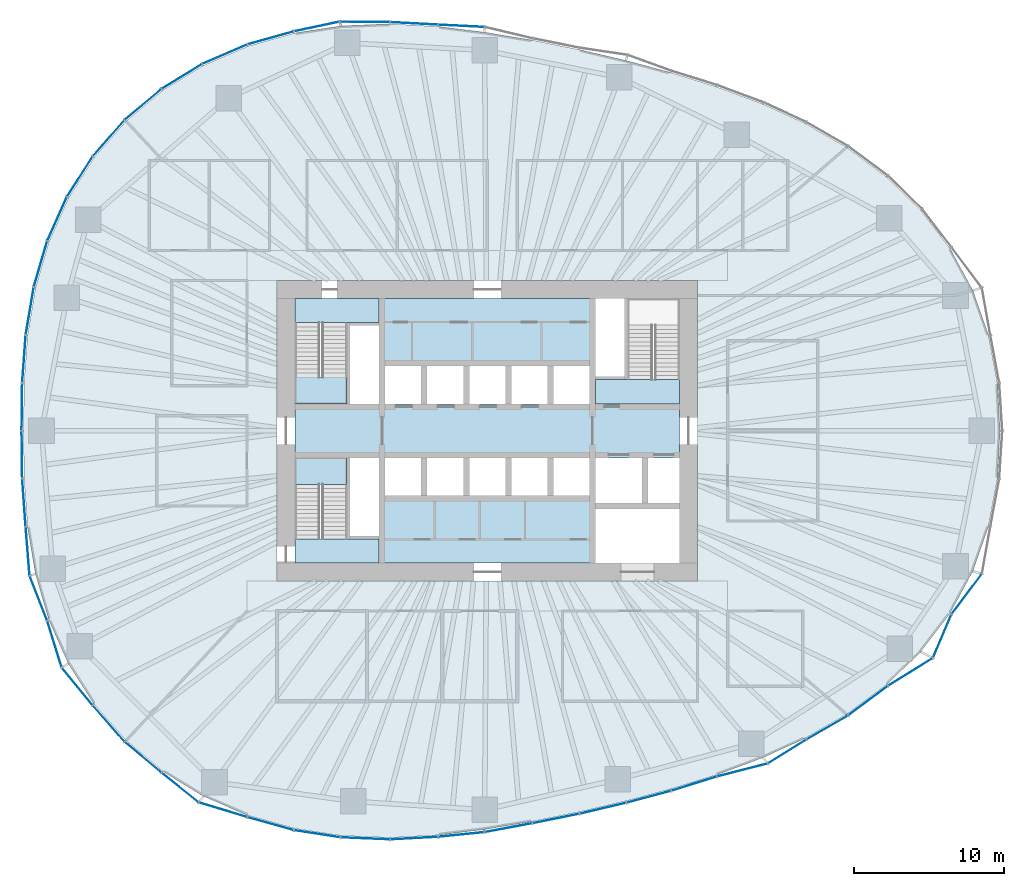
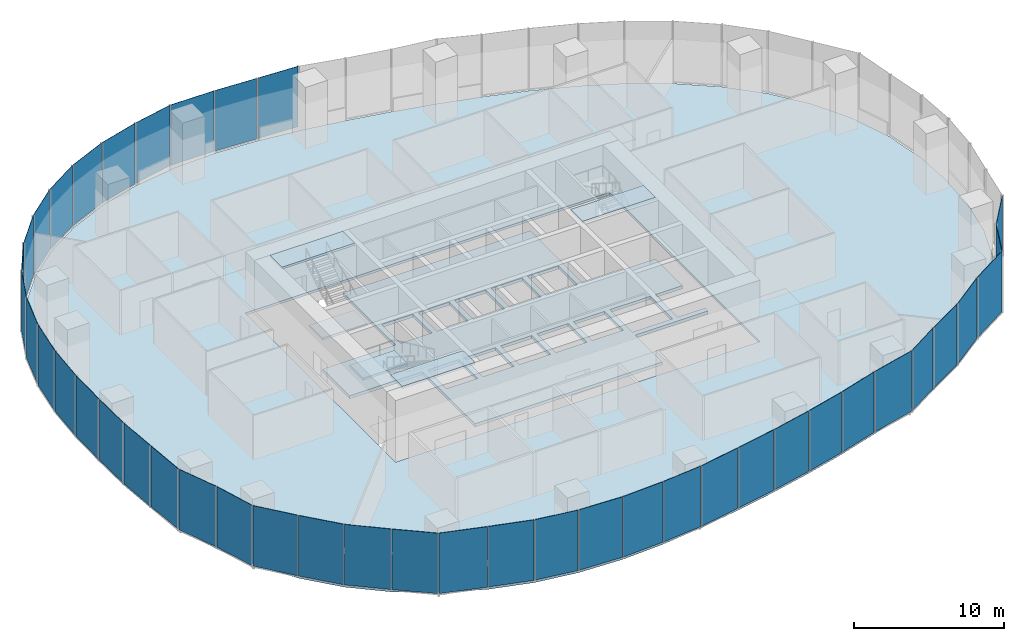
# One storey, part 8 of 19: 42 plates, 7 slabs, 17 elements without a shape of their own.
"""IFC4 building model written with IfcOpenShell, lengths in metres."""

from ifc_helpers import new_model, si_unit, direction, frame, origin, origin_2d, place, context, subcontext, project, spatial, polyline, rectangle, outline, extrude, material, layer, layer_set, type_object, element, aggregate, save


model = new_model("IFC4")

# Units and contexts
model_context = context("Model", 3, precision=1e-05, world=origin(), true_north=direction((0.0, 1.0)))
body_context = subcontext(model_context, "Body", "Model", "MODEL_VIEW")
ifc_project = project(units=[si_unit("LENGTHUNIT", "METRE"), si_unit("AREAUNIT", "SQUARE_METRE"), si_unit("VOLUMEUNIT", "CUBIC_METRE"), si_unit("PLANEANGLEUNIT", "RADIAN"), si_unit("MASSUNIT", "GRAM", prefix="KILO")], contexts=[model_context])

# Site, building, storey
site_placement = place(None, origin())
site = spatial("IfcSite", under=ifc_project, at=site_placement, CompositionType="ELEMENT")
building_placement = place(site_placement, origin())
building = spatial("IfcBuilding", under=site, at=building_placement, Name="Ghaith Harvest Tower", CompositionType="ELEMENT")
storey_placement = place(building_placement, frame((0.0, 0.0, 75.0)))
storey = spatial("IfcBuildingStorey", under=building, at=storey_placement, Name="L15", CompositionType="ELEMENT", Elevation=75.0)

# Curtain wall, plates
ifc_material_1 = material(Name="Black anodised aluminium and fritted glass", Category="aluminium")
curtain_wall_type = type_object("IfcCurtainWallType", Name="CW-F CURTAIN WALL", PredefinedType="NOTDEFINED", material=ifc_material_1)
curtain_wall_1_placement = place(storey_placement, origin())
curtain_wall_1 = element("IfcCurtainWall", 1, at=curtain_wall_1_placement, inside=storey, type_object=curtain_wall_type, Name="Curtain wall CW-F bay 06 L15", PredefinedType="NOTDEFINED")
ifc_material_2 = material(Name="Glass, high-transmission fritted double glazed unit", Category="glass")
ifc_layer_1 = layer(ifc_material_2, 0.028076171875)
ifc_layer_set_1 = layer_set([ifc_layer_1], Name="CW-F VISION PANEL")
plate_type = type_object("IfcPlateType", Name="CW-F VISION PANEL", PredefinedType="CURTAIN_PANEL", material=ifc_layer_set_1)
plate_1_placement = place(storey_placement, frame((-1.722900390625, 26.953369140625, 0.080078125), z_axis=(0.0, 0.0, 1.0), x_axis=(-0.998771443485, 0.049554048048, 0.0)))
plate_1 = element("IfcPlate", 2, at=plate_1_placement, type_object=plate_type, Name="CW-F panel 1 bay 06 L15", PredefinedType="CURTAIN_PANEL", context=body_context, shape_type="SweptSolid", body=[
    extrude(rectangle(XDim=3.001708984375, YDim=0.028076171875, at=origin_2d()), origin(), (0.0, 0.0, 1.0), 4.919921875),
])
plate_2_placement = place(storey_placement, frame((-4.863525390625, 27.11572265625, 0.080078125), z_axis=(0.0, 0.0, 1.0), x_axis=(-0.99856250263, 0.053599704667, 0.0)))
plate_2 = element("IfcPlate", 3, at=plate_2_placement, type_object=plate_type, Name="CW-F panel 2 bay 06 L15", PredefinedType="CURTAIN_PANEL", context=body_context, shape_type="SweptSolid", body=[
    extrude(rectangle(XDim=3.1279296875, YDim=0.028076171875, at=origin_2d()), origin(), (0.0, 0.0, 1.0), 4.919921875),
])
plate_3_placement = place(storey_placement, frame((-8.150390625, 27.217041015625, 0.080078125), z_axis=(0.0, 0.0, 1.0), x_axis=(-0.999959609481, 0.008987736446, 0.0)))
plate_3 = element("IfcPlate", 4, at=plate_3_placement, type_object=plate_type, Name="CW-F panel 3 bay 06 L15", PredefinedType="CURTAIN_PANEL", context=body_context, shape_type="SweptSolid", body=[
    extrude(rectangle(XDim=3.29052734375, YDim=0.028076171875, at=origin_2d()), origin(), (0.0, 0.0, 1.0), 4.919921875),
])
aggregate(curtain_wall_1, [plate_1, plate_2, plate_3])

curtain_wall_2_placement = place(storey_placement, origin())
curtain_wall_2 = element("IfcCurtainWall", 5, at=curtain_wall_2_placement, inside=storey, type_object=curtain_wall_type, Name="Curtain wall CW-F bay 07 L15", PredefinedType="NOTDEFINED")
plate_4_placement = place(storey_placement, frame((-11.358154296875, 26.908447265625, 0.080078125), z_axis=(0.0, 0.0, 1.0), x_axis=(-0.978149320779, -0.207903598476, 0.0)))
plate_4 = element("IfcPlate", 6, at=plate_4_placement, type_object=plate_type, Name="CW-F panel 1 bay 07 L15", PredefinedType="CURTAIN_PANEL", context=body_context, shape_type="SweptSolid", body=[
    extrude(rectangle(XDim=3.032958984375, YDim=0.028076171875, at=origin_2d()), origin(), (0.0, 0.0, 1.0), 4.919921875),
])
plate_5_placement = place(storey_placement, frame((-14.42578125, 26.150634765625, 0.080078125), z_axis=(0.0, 0.0, 1.0), x_axis=(-0.96272968243, -0.270465448012, 0.0)))
plate_5 = element("IfcPlate", 7, at=plate_5_placement, type_object=plate_type, Name="CW-F panel 2 bay 07 L15", PredefinedType="CURTAIN_PANEL", context=body_context, shape_type="SweptSolid", body=[
    extrude(rectangle(XDim=3.13037109375, YDim=0.028076171875, at=origin_2d()), origin(), (0.0, 0.0, 1.0), 4.919921875),
])
plate_6_placement = place(storey_placement, frame((-17.46923828125, 25.0693359375, 0.080078125), z_axis=(0.0, 0.0, 1.0), x_axis=(-0.918002845228, -0.396573796605, 0.0)))
plate_6 = element("IfcPlate", 8, at=plate_6_placement, type_object=plate_type, Name="CW-F panel 3 bay 07 L15", PredefinedType="CURTAIN_PANEL", context=body_context, shape_type="SweptSolid", body=[
    extrude(rectangle(XDim=3.18359375, YDim=0.028076171875, at=origin_2d()), origin(), (0.0, 0.0, 1.0), 4.919921875),
])
aggregate(curtain_wall_2, [plate_4, plate_5, plate_6])

curtain_wall_3_placement = place(storey_placement, origin())
curtain_wall_3 = element("IfcCurtainWall", 9, at=curtain_wall_3_placement, inside=storey, type_object=curtain_wall_type, Name="Curtain wall CW-F bay 08 L15", PredefinedType="NOTDEFINED")
plate_7_placement = place(storey_placement, frame((-20.324462890625, 23.590087890625, 0.080078125), z_axis=(0.0, 0.0, 1.0), x_axis=(-0.852527741552, -0.522681977769, 0.0)))
plate_7 = element("IfcPlate", 10, at=plate_7_placement, type_object=plate_type, Name="CW-F panel 1 bay 08 L15", PredefinedType="CURTAIN_PANEL", context=body_context, shape_type="SweptSolid", body=[
    extrude(rectangle(XDim=3.10400390625, YDim=0.028076171875, at=origin_2d()), origin(), (0.0, 0.0, 1.0), 4.919921875),
])
plate_8_placement = place(storey_placement, frame((-22.91064453125, 21.727294921875, 0.080078125), z_axis=(0.0, 0.0, 1.0), x_axis=(-0.766155215147, -0.642655573619, 0.0)))
plate_8 = element("IfcPlate", 11, at=plate_8_placement, type_object=plate_type, Name="CW-F panel 2 bay 08 L15", PredefinedType="CURTAIN_PANEL", context=body_context, shape_type="SweptSolid", body=[
    extrude(rectangle(XDim=3.1279296875, YDim=0.028076171875, at=origin_2d()), origin(), (0.0, 0.0, 1.0), 4.919921875),
])
plate_9_placement = place(storey_placement, frame((-25.201171875, 19.4853515625, 0.080078125), z_axis=(0.0, 0.0, 1.0), x_axis=(-0.659215937547, -0.751953687194, 0.0)))
plate_9 = element("IfcPlate", 12, at=plate_9_placement, type_object=plate_type, Name="CW-F panel 3 bay 08 L15", PredefinedType="CURTAIN_PANEL", context=body_context, shape_type="SweptSolid", body=[
    extrude(rectangle(XDim=3.1416015625, YDim=0.028076171875, at=origin_2d()), origin(), (0.0, 0.0, 1.0), 4.919921875),
])
aggregate(curtain_wall_3, [plate_7, plate_8, plate_9])

curtain_wall_4_placement = place(storey_placement, origin())
curtain_wall_4 = element("IfcCurtainWall", 13, at=curtain_wall_4_placement, inside=storey, type_object=curtain_wall_type, Name="Curtain wall CW-F bay 09 L15", PredefinedType="NOTDEFINED")
plate_10_placement = place(storey_placement, frame((-27.124755859375, 16.919677734375, 0.080078125), z_axis=(0.0, 0.0, 1.0), x_axis=(-0.536779195227, -0.843722759899, 0.0)))
plate_10 = element("IfcPlate", 14, at=plate_10_placement, type_object=plate_type, Name="CW-F panel 1 bay 09 L15", PredefinedType="CURTAIN_PANEL", context=body_context, shape_type="SweptSolid", body=[
    extrude(rectangle(XDim=3.13037109375, YDim=0.028076171875, at=origin_2d()), origin(), (0.0, 0.0, 1.0), 4.919921875),
])
plate_11_placement = place(storey_placement, frame((-28.639404296875, 14.100341796875, 0.080078125), z_axis=(0.0, 0.0, 1.0), x_axis=(-0.407134417018, -0.913368253488, 0.0)))
plate_11 = element("IfcPlate", 15, at=plate_11_placement, type_object=plate_type, Name="CW-F panel 2 bay 09 L15", PredefinedType="CURTAIN_PANEL", context=body_context, shape_type="SweptSolid", body=[
    extrude(rectangle(XDim=3.1279296875, YDim=0.028076171875, at=origin_2d()), origin(), (0.0, 0.0, 1.0), 4.919921875),
])
plate_12_placement = place(storey_placement, frame((-29.740478515625, 11.101318359375, 0.080078125), z_axis=(0.0, 0.0, 1.0), x_axis=(-0.280296918708, -0.959913348882, 0.0)))
plate_12 = element("IfcPlate", 16, at=plate_12_placement, type_object=plate_type, Name="CW-F panel 3 bay 09 L15", PredefinedType="CURTAIN_PANEL", context=body_context, shape_type="SweptSolid", body=[
    extrude(rectangle(XDim=3.1162109375, YDim=0.028076171875, at=origin_2d()), origin(), (0.0, 0.0, 1.0), 4.919921875),
])
aggregate(curtain_wall_4, [plate_10, plate_11, plate_12])

curtain_wall_5_placement = place(storey_placement, origin())
curtain_wall_5 = element("IfcCurtainWall", 17, at=curtain_wall_5_placement, inside=storey, type_object=curtain_wall_type, Name="Curtain wall CW-F bay 10 L15", PredefinedType="NOTDEFINED")
plate_13_placement = place(storey_placement, frame((-30.456298828125, 7.971435546875, 0.080078125), z_axis=(0.0, 0.0, 1.0), x_axis=(-0.165581316368, -0.986196140567, 0.0)))
plate_13 = element("IfcPlate", 18, at=plate_13_placement, type_object=plate_type, Name="CW-F panel 1 bay 10 L15", PredefinedType="CURTAIN_PANEL", context=body_context, shape_type="SweptSolid", body=[
    extrude(rectangle(XDim=3.156494140625, YDim=0.028076171875, at=origin_2d()), origin(), (0.0, 0.0, 1.0), 4.919921875),
])
plate_14_placement = place(storey_placement, frame((-30.84033203125, 4.77685546875, 0.080078125), z_axis=(0.0, 0.0, 1.0), x_axis=(-0.072420546123, -0.997374184797, 0.0)))
plate_14 = element("IfcPlate", 19, at=plate_14_placement, type_object=plate_type, Name="CW-F panel 2 bay 10 L15", PredefinedType="CURTAIN_PANEL", context=body_context, shape_type="SweptSolid", body=[
    extrude(rectangle(XDim=3.1259765625, YDim=0.028076171875, at=origin_2d()), origin(), (0.0, 0.0, 1.0), 4.919921875),
])
plate_15_placement = place(storey_placement, frame((-30.975830078125, 1.589111328125, 0.080078125), z_axis=(0.0, 0.0, 1.0), x_axis=(-0.012133206476, -0.999926389941, 0.0)))
plate_15 = element("IfcPlate", 20, at=plate_15_placement, type_object=plate_type, Name="CW-F panel 3 bay 10 L15", PredefinedType="CURTAIN_PANEL", context=body_context, shape_type="SweptSolid", body=[
    extrude(rectangle(XDim=3.09814453125, YDim=0.028076171875, at=origin_2d()), origin(), (0.0, 0.0, 1.0), 4.919921875),
])
aggregate(curtain_wall_5, [plate_13, plate_14, plate_15])

curtain_wall_6_placement = place(storey_placement, origin())
curtain_wall_6 = element("IfcCurtainWall", 21, at=curtain_wall_6_placement, inside=storey, type_object=curtain_wall_type, Name="Curtain wall CW-F bay 11 L15", PredefinedType="NOTDEFINED")
plate_16_placement = place(storey_placement, frame((-30.975830078125, -1.589111328125, 0.080078125), z_axis=(0.0, 0.0, 1.0), x_axis=(0.012133206773, -0.999926389937, 0.0)))
plate_16 = element("IfcPlate", 22, at=plate_16_placement, type_object=plate_type, Name="CW-F panel 1 bay 11 L15", PredefinedType="CURTAIN_PANEL", context=body_context, shape_type="SweptSolid", body=[
    extrude(rectangle(XDim=3.09814453125, YDim=0.028076171875, at=origin_2d()), origin(), (0.0, 0.0, 1.0), 4.919921875),
])
plate_17_placement = place(storey_placement, frame((-30.84033203125, -4.77685546875, 0.080078125), z_axis=(0.0, 0.0, 1.0), x_axis=(0.072420546349, -0.99737418478, 0.0)))
plate_17 = element("IfcPlate", 23, at=plate_17_placement, type_object=plate_type, Name="CW-F panel 2 bay 11 L15", PredefinedType="CURTAIN_PANEL", context=body_context, shape_type="SweptSolid", body=[
    extrude(rectangle(XDim=3.1259765625, YDim=0.028076171875, at=origin_2d()), origin(), (0.0, 0.0, 1.0), 4.919921875),
])
plate_18_placement = place(storey_placement, frame((-30.594482421875, -8.01513671875, 0.080078125), z_axis=(0.0, 0.0, 1.0), x_axis=(0.078867084181, -0.996885140341, 0.0)))
plate_18 = element("IfcPlate", 24, at=plate_18_placement, type_object=plate_type, Name="CW-F panel 3 bay 11 L15", PredefinedType="CURTAIN_PANEL", context=body_context, shape_type="SweptSolid", body=[
    extrude(rectangle(XDim=3.209716796875, YDim=0.028076171875, at=origin_2d()), origin(), (0.0, 0.0, 1.0), 4.919921875),
])
aggregate(curtain_wall_6, [plate_16, plate_17, plate_18])

curtain_wall_7_placement = place(storey_placement, origin())
curtain_wall_7 = element("IfcCurtainWall", 25, at=curtain_wall_7_placement, inside=storey, type_object=curtain_wall_type, Name="Curtain wall CW-F bay 12 L15", PredefinedType="NOTDEFINED")
plate_19_placement = place(storey_placement, frame((-29.878662109375, -11.14501953125, 0.080078125), z_axis=(0.0, 0.0, 1.0), x_axis=(0.366039738151, -0.930599220983, 0.0)))
plate_19 = element("IfcPlate", 26, at=plate_19_placement, type_object=plate_type, Name="CW-F panel 1 bay 12 L15", PredefinedType="CURTAIN_PANEL", context=body_context, shape_type="SweptSolid", body=[
    extrude(rectangle(XDim=3.122802734375, YDim=0.028076171875, at=origin_2d()), origin(), (0.0, 0.0, 1.0), 4.919921875),
])
plate_20_placement = place(storey_placement, frame((-28.809814453125, -14.195068359375, 0.080078125), z_axis=(0.0, 0.0, 1.0), x_axis=(0.295583054454, -0.95531704576, 0.0)))
plate_20 = element("IfcPlate", 27, at=plate_20_placement, type_object=plate_type, Name="CW-F panel 2 bay 12 L15", PredefinedType="CURTAIN_PANEL", context=body_context, shape_type="SweptSolid", body=[
    extrude(rectangle(XDim=3.185546875, YDim=0.028076171875, at=origin_2d()), origin(), (0.0, 0.0, 1.0), 4.919921875),
])
plate_21_placement = place(storey_placement, frame((-27.295166015625, -17.014404296875, 0.080078125), z_axis=(0.0, 0.0, 1.0), x_axis=(0.633789860881, -0.773505276158, 0.0)))
plate_21 = element("IfcPlate", 28, at=plate_21_placement, type_object=plate_type, Name="CW-F panel 3 bay 12 L15", PredefinedType="CURTAIN_PANEL", context=body_context, shape_type="SweptSolid", body=[
    extrude(rectangle(XDim=3.1767578125, YDim=0.028076171875, at=origin_2d()), origin(), (0.0, 0.0, 1.0), 4.919921875),
])
aggregate(curtain_wall_7, [plate_19, plate_20, plate_21])

curtain_wall_8_placement = place(storey_placement, origin())
curtain_wall_8 = element("IfcCurtainWall", 29, at=curtain_wall_8_placement, inside=storey, type_object=curtain_wall_type, Name="Curtain wall CW-F bay 13 L15", PredefinedType="NOTDEFINED")
plate_22_placement = place(storey_placement, frame((-25.201171875, -19.4853515625, 0.080078125), z_axis=(0.0, 0.0, 1.0), x_axis=(0.659215937337, -0.751953687378, 0.0)))
plate_22 = element("IfcPlate", 30, at=plate_22_placement, type_object=plate_type, Name="CW-F panel 1 bay 13 L15", PredefinedType="CURTAIN_PANEL", context=body_context, shape_type="SweptSolid", body=[
    extrude(rectangle(XDim=3.1416015625, YDim=0.028076171875, at=origin_2d()), origin(), (0.0, 0.0, 1.0), 4.919921875),
])
plate_23_placement = place(storey_placement, frame((-22.91064453125, -21.727294921875, 0.080078125), z_axis=(0.0, 0.0, 1.0), x_axis=(0.76615521545, -0.642655573258, 0.0)))
plate_23 = element("IfcPlate", 31, at=plate_23_placement, type_object=plate_type, Name="CW-F panel 2 bay 13 L15", PredefinedType="CURTAIN_PANEL", context=body_context, shape_type="SweptSolid", body=[
    extrude(rectangle(XDim=3.1279296875, YDim=0.028076171875, at=origin_2d()), origin(), (0.0, 0.0, 1.0), 4.919921875),
])
plate_24_placement = place(storey_placement, frame((-20.447265625, -23.748046875, 0.080078125), z_axis=(0.0, 0.0, 1.0), x_axis=(0.780122054158, -0.625627349639, 0.0)))
plate_24 = element("IfcPlate", 32, at=plate_24_placement, type_object=plate_type, Name="CW-F panel 3 bay 13 L15", PredefinedType="CURTAIN_PANEL", context=body_context, shape_type="SweptSolid", body=[
    extrude(rectangle(XDim=3.085205078125, YDim=0.028076171875, at=origin_2d()), origin(), (0.0, 0.0, 1.0), 4.919921875),
])
aggregate(curtain_wall_8, [plate_22, plate_23, plate_24])

curtain_wall_9_placement = place(storey_placement, origin())
curtain_wall_9 = element("IfcCurtainWall", 33, at=curtain_wall_9_placement, inside=storey, type_object=curtain_wall_type, Name="Curtain wall CW-F bay 14 L15", PredefinedType="NOTDEFINED")
plate_25_placement = place(storey_placement, frame((-17.591796875, -25.227294921875, 0.080078125), z_axis=(0.0, 0.0, 1.0), x_axis=(0.95734234218, -0.288956121011, 0.0)))
plate_25 = element("IfcPlate", 34, at=plate_25_placement, type_object=plate_type, Name="CW-F panel 1 bay 14 L15", PredefinedType="CURTAIN_PANEL", context=body_context, shape_type="SweptSolid", body=[
    extrude(rectangle(XDim=3.3056640625, YDim=0.028076171875, at=origin_2d()), origin(), (0.0, 0.0, 1.0), 4.919921875),
])
plate_26_placement = place(storey_placement, frame((-14.42578125, -26.150634765625, 0.080078125), z_axis=(0.0, 0.0, 1.0), x_axis=(0.962729682704, -0.270465447038, 0.0)))
plate_26 = element("IfcPlate", 35, at=plate_26_placement, type_object=plate_type, Name="CW-F panel 2 bay 14 L15", PredefinedType="CURTAIN_PANEL", context=body_context, shape_type="SweptSolid", body=[
    extrude(rectangle(XDim=3.13037109375, YDim=0.028076171875, at=origin_2d()), origin(), (0.0, 0.0, 1.0), 4.919921875),
])
plate_27_placement = place(storey_placement, frame((-11.327392578125, -26.82373046875, 0.080078125), z_axis=(0.0, 0.0, 1.0), x_axis=(0.98836987371, -0.152069039392, 0.0)))
plate_27 = element("IfcPlate", 36, at=plate_27_placement, type_object=plate_type, Name="CW-F panel 3 bay 14 L15", PredefinedType="CURTAIN_PANEL", context=body_context, shape_type="SweptSolid", body=[
    extrude(rectangle(XDim=3.0625, YDim=0.028076171875, at=origin_2d()), origin(), (0.0, 0.0, 1.0), 4.919921875),
])
aggregate(curtain_wall_9, [plate_25, plate_26, plate_27])

curtain_wall_10_placement = place(storey_placement, origin())
curtain_wall_10 = element("IfcCurtainWall", 37, at=curtain_wall_10_placement, inside=storey, type_object=curtain_wall_type, Name="Curtain wall CW-F bay 15 L15", PredefinedType="NOTDEFINED")
plate_28_placement = place(storey_placement, frame((-8.119873046875, -27.13232421875, 0.080078125), z_axis=(0.0, 0.0, 1.0), x_axis=(0.999118988518, -0.041967210794, 0.0)))
plate_28 = element("IfcPlate", 38, at=plate_28_placement, type_object=plate_type, Name="CW-F panel 1 bay 15 L15", PredefinedType="CURTAIN_PANEL", context=body_context, shape_type="SweptSolid", body=[
    extrude(rectangle(XDim=3.232177734375, YDim=0.028076171875, at=origin_2d()), origin(), (0.0, 0.0, 1.0), 4.919921875),
])
plate_29_placement = place(storey_placement, frame((-4.863525390625, -27.11572265625, 0.080078125), z_axis=(0.0, 0.0, 1.0), x_axis=(0.998562502616, 0.053599704928, 0.0)))
plate_29 = element("IfcPlate", 39, at=plate_29_placement, type_object=plate_type, Name="CW-F panel 2 bay 15 L15", PredefinedType="CURTAIN_PANEL", context=body_context, shape_type="SweptSolid", body=[
    extrude(rectangle(XDim=3.1279296875, YDim=0.028076171875, at=origin_2d()), origin(), (0.0, 0.0, 1.0), 4.919921875),
])
plate_30_placement = place(storey_placement, frame((-1.722412109375, -26.87353515625, 0.080078125), z_axis=(0.0, 0.0, 1.0), x_axis=(0.99488222177, 0.101041401443, 0.0)))
plate_30 = element("IfcPlate", 40, at=plate_30_placement, type_object=plate_type, Name="CW-F panel 3 bay 15 L15", PredefinedType="CURTAIN_PANEL", context=body_context, shape_type="SweptSolid", body=[
    extrude(rectangle(XDim=3.014892578125, YDim=0.028076171875, at=origin_2d()), origin(), (0.0, 0.0, 1.0), 4.919921875),
])
aggregate(curtain_wall_10, [plate_28, plate_29, plate_30])

curtain_wall_11_placement = place(storey_placement, origin())
curtain_wall_11 = element("IfcCurtainWall", 41, at=curtain_wall_11_placement, inside=storey, type_object=curtain_wall_type, Name="Curtain wall CW-F bay 16 L15", PredefinedType="NOTDEFINED")
plate_31_placement = place(storey_placement, frame((1.4130859375, -26.420166015625, 0.080078125), z_axis=(0.0, 0.0, 1.0), x_axis=(0.983131230266, 0.182901569365, 0.0)))
plate_31 = element("IfcPlate", 42, at=plate_31_placement, type_object=plate_type, Name="CW-F panel 1 bay 16 L15", PredefinedType="CURTAIN_PANEL", context=body_context, shape_type="SweptSolid", body=[
    extrude(rectangle(XDim=3.166748046875, YDim=0.028076171875, at=origin_2d()), origin(), (0.0, 0.0, 1.0), 4.919921875),
])
plate_32_placement = place(storey_placement, frame((4.5732421875, -25.809326171875, 0.080078125), z_axis=(0.0, 0.0, 1.0), x_axis=(0.98043234808, 0.196856320293, 0.0)))
plate_32 = element("IfcPlate", 43, at=plate_32_placement, type_object=plate_type, Name="CW-F panel 2 bay 16 L15", PredefinedType="CURTAIN_PANEL", context=body_context, shape_type="SweptSolid", body=[
    extrude(rectangle(XDim=3.1103515625, YDim=0.028076171875, at=origin_2d()), origin(), (0.0, 0.0, 1.0), 4.919921875),
])
plate_33_placement = place(storey_placement, frame((7.697265625, -25.129150390625, 0.080078125), z_axis=(0.0, 0.0, 1.0), x_axis=(0.973564757908, 0.228411169079, 0.0)))
plate_33 = element("IfcPlate", 44, at=plate_33_placement, type_object=plate_type, Name="CW-F panel 3 bay 16 L15", PredefinedType="CURTAIN_PANEL", context=body_context, shape_type="SweptSolid", body=[
    extrude(rectangle(XDim=3.125, YDim=0.028076171875, at=origin_2d()), origin(), (0.0, 0.0, 1.0), 4.919921875),
])
aggregate(curtain_wall_11, [plate_31, plate_32, plate_33])

curtain_wall_12_placement = place(storey_placement, origin())
curtain_wall_12 = element("IfcCurtainWall", 45, at=curtain_wall_12_placement, inside=storey, type_object=curtain_wall_type, Name="Curtain wall CW-F bay 17 L15", PredefinedType="NOTDEFINED")
plate_34_placement = place(storey_placement, frame((10.745849609375, -24.36376953125, 0.080078125), z_axis=(0.0, 0.0, 1.0), x_axis=(0.965848435029, 0.259107700681, 0.0)))
plate_34 = element("IfcPlate", 46, at=plate_34_placement, type_object=plate_type, Name="CW-F panel 1 bay 17 L15", PredefinedType="CURTAIN_PANEL", context=body_context, shape_type="SweptSolid", body=[
    extrude(rectangle(XDim=3.002197265625, YDim=0.028076171875, at=origin_2d()), origin(), (0.0, 0.0, 1.0), 4.919921875),
])
plate_35_placement = place(storey_placement, frame((13.760986328125, -23.490234375, 0.080078125), z_axis=(0.0, 0.0, 1.0), x_axis=(0.954988265447, 0.296643578827, 0.0)))
plate_35 = element("IfcPlate", 47, at=plate_35_placement, type_object=plate_type, Name="CW-F panel 2 bay 17 L15", PredefinedType="CURTAIN_PANEL", context=body_context, shape_type="SweptSolid", body=[
    extrude(rectangle(XDim=3.1171875, YDim=0.028076171875, at=origin_2d()), origin(), (0.0, 0.0, 1.0), 4.919921875),
])
plate_36_placement = place(storey_placement, frame((16.980712890625, -22.580322265625, 0.080078125), z_axis=(0.0, 0.0, 1.0), x_axis=(0.968451429434, 0.249202385275, 0.0)))
plate_36 = element("IfcPlate", 48, at=plate_36_placement, type_object=plate_type, Name="CW-F panel 3 bay 17 L15", PredefinedType="CURTAIN_PANEL", context=body_context, shape_type="SweptSolid", body=[
    extrude(rectangle(XDim=3.416748046875, YDim=0.028076171875, at=origin_2d()), origin(), (0.0, 0.0, 1.0), 4.919921875),
])
aggregate(curtain_wall_12, [plate_34, plate_35, plate_36])

curtain_wall_13_placement = place(storey_placement, origin())
curtain_wall_13 = element("IfcCurtainWall", 49, at=curtain_wall_13_placement, inside=storey, type_object=curtain_wall_type, Name="Curtain wall CW-F bay 18 L15", PredefinedType="NOTDEFINED")
plate_37_placement = place(storey_placement, frame((19.954833984375, -21.348876953125, 0.080078125), z_axis=(0.0, 0.0, 1.0), x_axis=(0.849360700005, 0.527812846837, 0.0)))
plate_37 = element("IfcPlate", 50, at=plate_37_placement, type_object=plate_type, Name="CW-F panel 1 bay 18 L15", PredefinedType="CURTAIN_PANEL", context=body_context, shape_type="SweptSolid", body=[
    extrude(rectangle(XDim=2.935791015625, YDim=0.028076171875, at=origin_2d()), origin(), (0.0, 0.0, 1.0), 4.919921875),
])
plate_38_placement = place(storey_placement, frame((22.626953125, -19.750244140625, 0.080078125), z_axis=(0.0, 0.0, 1.0), x_axis=(0.866159208454, 0.499768171866, 0.0)))
plate_38 = element("IfcPlate", 51, at=plate_38_placement, type_object=plate_type, Name="CW-F panel 2 bay 18 L15", PredefinedType="CURTAIN_PANEL", context=body_context, shape_type="SweptSolid", body=[
    extrude(rectangle(XDim=3.1328125, YDim=0.028076171875, at=origin_2d()), origin(), (0.0, 0.0, 1.0), 4.919921875),
])
plate_39_placement = place(storey_placement, frame((25.34619140625, -17.96142578125, 0.080078125), z_axis=(0.0, 0.0, 1.0), x_axis=(0.802866788713, 0.596158468515, 0.0)))
plate_39 = element("IfcPlate", 52, at=plate_39_placement, type_object=plate_type, Name="CW-F panel 3 bay 18 L15", PredefinedType="CURTAIN_PANEL", context=body_context, shape_type="SweptSolid", body=[
    extrude(rectangle(XDim=3.2275390625, YDim=0.028076171875, at=origin_2d()), origin(), (0.0, 0.0, 1.0), 4.919921875),
])
aggregate(curtain_wall_13, [plate_37, plate_38, plate_39])

curtain_wall_14_placement = place(storey_placement, origin())
curtain_wall_14 = element("IfcCurtainWall", 53, at=curtain_wall_14_placement, inside=storey, type_object=curtain_wall_type, Name="Curtain wall CW-F bay 19 L15", PredefinedType="NOTDEFINED")
plate_40_placement = place(storey_placement, frame((28.166748046875, -16.05126953125, 0.080078125), z_axis=(0.0, 0.0, 1.0), x_axis=(0.850245604669, 0.526386181184, 0.0)))
plate_40 = element("IfcPlate", 54, at=plate_40_placement, type_object=plate_type, Name="CW-F panel 1 bay 19 L15", PredefinedType="CURTAIN_PANEL", context=body_context, shape_type="SweptSolid", body=[
    extrude(rectangle(XDim=3.431884765625, YDim=0.028076171875, at=origin_2d()), origin(), (0.0, 0.0, 1.0), 4.919921875),
])
plate_41_placement = place(storey_placement, frame((30.2783203125, -13.6708984375, 0.080078125), z_axis=(0.0, 0.0, 1.0), x_axis=(0.390980294296, 0.920399049039, 0.0)))
plate_41 = element("IfcPlate", 55, at=plate_41_placement, type_object=plate_type, Name="CW-F panel 2 bay 19 L15", PredefinedType="CURTAIN_PANEL", context=body_context, shape_type="SweptSolid", body=[
    extrude(rectangle(XDim=3.083740234375, YDim=0.028076171875, at=origin_2d()), origin(), (0.0, 0.0, 1.0), 4.919921875),
])
plate_42_placement = place(storey_placement, frame((31.91015625, -10.865234375, 0.080078125), z_axis=(0.0, 0.0, 1.0), x_axis=(0.600454091429, 0.799659229976, 0.0)))
plate_42 = element("IfcPlate", 56, at=plate_42_placement, type_object=plate_type, Name="CW-F panel 3 bay 19 L15", PredefinedType="CURTAIN_PANEL", context=body_context, shape_type="SweptSolid", body=[
    extrude(rectangle(XDim=3.295654296875, YDim=0.028076171875, at=origin_2d()), origin(), (0.0, 0.0, 1.0), 4.919921875),
])
aggregate(curtain_wall_14, [plate_40, plate_41, plate_42])

# Slabs
ifc_material_3 = material(Name="Concrete C40/50", Category="concrete")
ifc_layer_2 = layer(ifc_material_3, 0.199951171875)
ifc_layer_set_2 = layer_set([ifc_layer_2], Name="FLOOR SLAB 200")
slab_type_1 = type_object("IfcSlabType", Name="FLOOR SLAB 200", PredefinedType="FLOOR", material=ifc_layer_set_2)
slab_1_placement = place(storey_placement, frame((0.0, 0.0, -0.199951171875)))
element("IfcSlab", 57, at=slab_1_placement, inside=storey, type_object=slab_type_1, Name="Floor slab L15", PredefinedType="FLOOR", context=body_context, shape_type="SweptSolid", body=[
    extrude(outline(polyline([(34.125, 0.0), (33.95849609375, 3.194091796875), (33.37158203125, 6.333984375), (32.318359375, 9.3408203125), (30.78515625, 12.1708984375), (28.840087890625, 14.708984375), (26.572509765625, 16.9111328125), (23.92431640625, 18.873046875), (21.149169921875, 20.469482421875), (18.34521484375, 21.7548828125), (15.22119140625, 22.916259765625), (12.1796875, 23.857666015625), (9.21533203125, 24.65087890625), (6.10888671875, 25.378662109375), (2.99560546875, 26.004150390625), (-0.181396484375, 26.527099609375), (-3.24755859375, 26.91064453125), (-6.4375, 27.0849609375), (-9.733642578125, 26.949951171875), (-12.828125, 26.476806640625), (-15.907958984375, 25.614501953125), (-18.8935546875, 24.32763671875), (-21.59912109375, 22.671142578125), (-24.04833984375, 20.618408203125), (-26.16455078125, 18.20556640625), (-27.881591796875, 15.507080078125), (-29.182373046875, 12.587890625), (-30.073974609375, 9.531005859375), (-30.606689453125, 6.35107421875), (-30.837158203125, 3.165771484375), (-30.875, 0.0), (-30.837158203125, -3.165771484375), (-30.606689453125, -6.35107421875), (-30.073974609375, -9.531005859375), (-29.182373046875, -12.587890625), (-27.881591796875, -15.507080078125), (-26.16455078125, -18.20556640625), (-24.04833984375, -20.618408203125), (-21.59912109375, -22.671142578125), (-18.8935546875, -24.32763671875), (-15.907958984375, -25.614501953125), (-12.828125, -26.476806640625), (-9.733642578125, -26.949951171875), (-6.4375, -27.0849609375), (-3.24755859375, -26.91064453125), (-0.181396484375, -26.527099609375), (2.99560546875, -26.004150390625), (6.10888671875, -25.378662109375), (9.21533203125, -24.65087890625), (12.1796875, -23.857666015625), (15.22119140625, -22.916259765625), (18.34521484375, -21.7548828125), (21.149169921875, -20.469482421875), (23.92431640625, -18.873046875), (26.572509765625, -16.9111328125), (28.840087890625, -14.708984375), (30.78515625, -12.1708984375), (32.318359375, -9.3408203125), (33.37158203125, -6.333984375), (33.95849609375, -3.194091796875), (34.125, 0.0)]), holes=[polyline([(-14.0, -10.0), (14.0, -10.0), (14.0, 10.0), (-14.0, 10.0), (-14.0, -10.0)])]), origin(), (0.0, 0.0, 1.0), 0.199951171875),
])
ifc_material_4 = material(Name="Concrete C40/50", Category="concrete")
ifc_layer_3 = layer(ifc_material_4, 0.25)
ifc_layer_set_3 = layer_set([ifc_layer_3], Name="FLOOR SLAB 250")
slab_type_2 = type_object("IfcSlabType", Name="FLOOR SLAB 250", PredefinedType="FLOOR", material=ifc_layer_set_3)
slab_2_placement = place(storey_placement, frame((0.0, 0.0, -0.25)))
element("IfcSlab", 58, at=slab_2_placement, inside=storey, type_object=slab_type_2, Name="Core slab L15", PredefinedType="FLOOR", context=body_context, shape_type="SweptSolid", body=[
    extrude(outline(polyline([(-12.800048828125, 1.800048828125), (-7.199951171875, 1.800048828125), (-7.199951171875, 8.800048828125), (7.199951171875, 8.800048828125), (7.199951171875, 1.800048828125), (12.800048828125, 1.800048828125), (12.800048828125, -1.800048828125), (10.699951171875, -1.800048828125), (10.699951171875, -4.800048828125), (12.800048828125, -4.800048828125), (12.800048828125, -5.199951171875), (7.199951171875, -5.199951171875), (7.199951171875, -8.800048828125), (-7.199951171875, -8.800048828125), (-7.199951171875, -1.800048828125), (-12.800048828125, -1.800048828125), (-12.800048828125, 1.800048828125)]), holes=[polyline([(-4.39990234375, -4.300048828125), (-4.39990234375, -1.800048828125), (-6.800048828125, -1.800048828125), (-6.800048828125, -4.300048828125), (-4.39990234375, -4.300048828125)]), polyline([(-1.60009765625, -4.300048828125), (-1.60009765625, -1.800048828125), (-4.0, -1.800048828125), (-4.0, -4.300048828125), (-1.60009765625, -4.300048828125)]), polyline([(1.199951171875, -4.300048828125), (1.199951171875, -1.800048828125), (-1.199951171875, -1.800048828125), (-1.199951171875, -4.300048828125), (1.199951171875, -4.300048828125)]), polyline([(-4.39990234375, 1.800048828125), (-4.39990234375, 4.300048828125), (-6.800048828125, 4.300048828125), (-6.800048828125, 1.800048828125), (-4.39990234375, 1.800048828125)]), polyline([(-1.60009765625, 1.800048828125), (-1.60009765625, 4.300048828125), (-4.0, 4.300048828125), (-4.0, 1.800048828125), (-1.60009765625, 1.800048828125)]), polyline([(1.199951171875, 1.800048828125), (1.199951171875, 4.300048828125), (-1.199951171875, 4.300048828125), (-1.199951171875, 1.800048828125), (1.199951171875, 1.800048828125)]), polyline([(10.300048828125, -4.800048828125), (10.300048828125, -1.800048828125), (7.199951171875, -1.800048828125), (7.199951171875, -4.800048828125), (10.300048828125, -4.800048828125)]), polyline([(4.0, -4.300048828125), (4.0, -1.800048828125), (1.60009765625, -1.800048828125), (1.60009765625, -4.300048828125), (4.0, -4.300048828125)]), polyline([(6.800048828125, -4.300048828125), (6.800048828125, -1.800048828125), (4.39990234375, -1.800048828125), (4.39990234375, -4.300048828125), (6.800048828125, -4.300048828125)]), polyline([(4.0, 1.800048828125), (4.0, 4.300048828125), (1.60009765625, 4.300048828125), (1.60009765625, 1.800048828125), (4.0, 1.800048828125)]), polyline([(6.800048828125, 1.800048828125), (6.800048828125, 4.300048828125), (4.39990234375, 4.300048828125), (4.39990234375, 1.800048828125), (6.800048828125, 1.800048828125)])]), origin(), (0.0, 0.0, 1.0), 0.25),
])

# Stair, slabs
ifc_material_5 = material(Name="Concrete C40/50, precast", Category="concrete")
stair_type = type_object("IfcStairType", Name="CORE STAIR 28R", PredefinedType="HALF_TURN_STAIR", material=ifc_material_5)
stair_1_placement = place(storey_placement, origin())
stair_1 = element("IfcStair", 59, at=stair_1_placement, inside=storey, type_object=stair_type, Name="Stair ST1 L15", PredefinedType="HALF_TURN_STAIR")
ifc_material_6 = material(Name="Concrete C40/50, precast", Category="concrete")
ifc_layer_4 = layer(ifc_material_6, 0.179931640625)
ifc_layer_set_4 = layer_set([ifc_layer_4], Name="STAIR LANDING 180")
slab_type_3 = type_object("IfcSlabType", Name="STAIR LANDING 180", PredefinedType="LANDING", material=ifc_layer_set_4)
slab_3_placement = place(storey_placement, frame((0.0, 0.0, 2.320068359375)))
slab_3 = element("IfcSlab", 60, at=slab_3_placement, type_object=slab_type_3, Name="ST1 landing 1", PredefinedType="LANDING", context=body_context, shape_type="SweptSolid", body=[
    extrude(outline(polyline([(-12.800048828125, 3.580078125), (-12.800048828125, 1.800048828125), (-9.35009765625, 1.800048828125), (-9.35009765625, 3.580078125), (-12.800048828125, 3.580078125)])), origin(), (0.0, 0.0, 1.0), 0.179931640625),
])
slab_4_placement = place(storey_placement, frame((0.0, 0.0, 4.820068359375)))
slab_4 = element("IfcSlab", 61, at=slab_4_placement, type_object=slab_type_3, Name="ST1 landing 2", PredefinedType="LANDING", context=body_context, shape_type="SweptSolid", body=[
    extrude(outline(polyline([(-12.800048828125, 8.800048828125), (-12.800048828125, 7.199951171875), (-7.199951171875, 7.199951171875), (-7.199951171875, 8.800048828125), (-12.800048828125, 8.800048828125)])), origin(), (0.0, 0.0, 1.0), 0.179931640625),
])
aggregate(stair_1, [slab_3, slab_4])

stair_2_placement = place(storey_placement, origin())
stair_2 = element("IfcStair", 62, at=stair_2_placement, inside=storey, type_object=stair_type, Name="Stair ST3 L15", PredefinedType="HALF_TURN_STAIR")
slab_5_placement = place(storey_placement, frame((0.0, 0.0, 2.320068359375)))
slab_5 = element("IfcSlab", 63, at=slab_5_placement, type_object=slab_type_3, Name="ST3 landing 1", PredefinedType="LANDING", context=body_context, shape_type="SweptSolid", body=[
    extrude(outline(polyline([(-12.800048828125, -3.580078125), (-12.800048828125, -1.800048828125), (-9.35009765625, -1.800048828125), (-9.35009765625, -3.580078125), (-12.800048828125, -3.580078125)])), origin(), (0.0, 0.0, 1.0), 0.179931640625),
])
slab_6_placement = place(storey_placement, frame((0.0, 0.0, 4.820068359375)))
slab_6 = element("IfcSlab", 64, at=slab_6_placement, type_object=slab_type_3, Name="ST3 landing 2", PredefinedType="LANDING", context=body_context, shape_type="SweptSolid", body=[
    extrude(outline(polyline([(-12.800048828125, -8.800048828125), (-12.800048828125, -7.199951171875), (-7.199951171875, -7.199951171875), (-7.199951171875, -8.800048828125), (-12.800048828125, -8.800048828125)])), origin(), (0.0, 0.0, 1.0), 0.179931640625),
])
aggregate(stair_2, [slab_5, slab_6])

# Stair, slab
stair_3_placement = place(storey_placement, origin())
stair_3 = element("IfcStair", 65, at=stair_3_placement, inside=storey, type_object=stair_type, Name="Stair ST2 L15", PredefinedType="HALF_TURN_STAIR")
slab_7_placement = place(storey_placement, frame((0.0, 0.0, 4.820068359375)))
slab_7 = element("IfcSlab", 66, at=slab_7_placement, type_object=slab_type_3, Name="ST2 landing 2", PredefinedType="LANDING", context=body_context, shape_type="SweptSolid", body=[
    extrude(outline(polyline([(12.800048828125, 1.800048828125), (12.800048828125, 3.39990234375), (7.199951171875, 3.39990234375), (7.199951171875, 1.800048828125), (12.800048828125, 1.800048828125)])), origin(), (0.0, 0.0, 1.0), 0.179931640625),
])
aggregate(stair_3, [slab_7])

save(model, "model.ifc")
